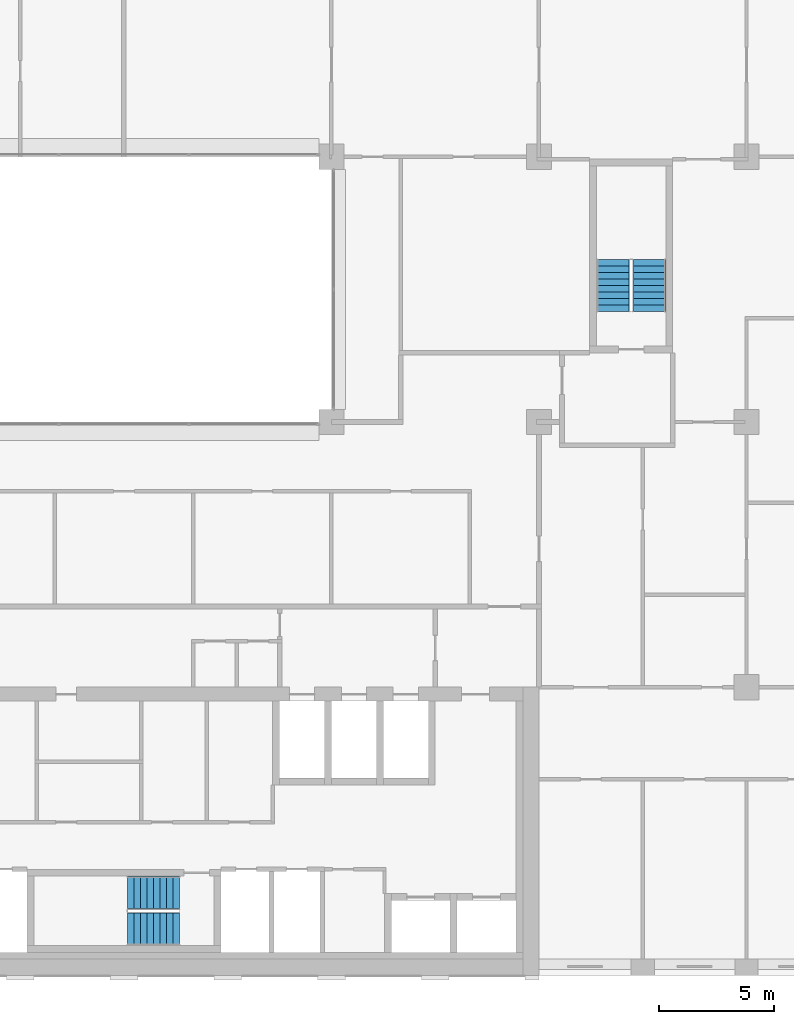
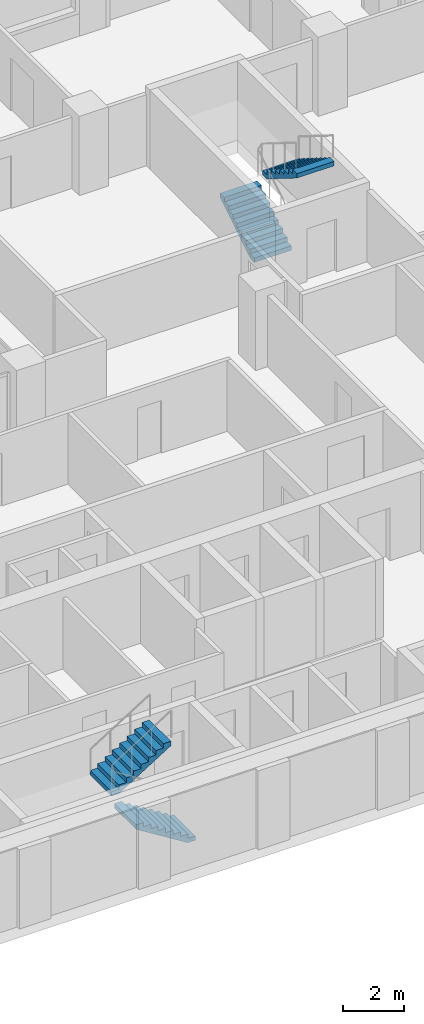
# One storey, part 15 of 17: 4 stair flights, 2 elements without a shape of their own.
"""IFC4 building model written with IfcOpenShell, lengths in metres."""

import ifcopenshell
import ifcopenshell.guid

model = None  # the IFC model being written
_history = None  # IfcOwnerHistory: only IFC2X3 demands one
_inside = {}  # id of a spatial element -> (the spatial element, [elements in it])
_under = {}  # id of a project, library or spatial element -> (it, [spatial elements below it])
_declared = {}  # id of a project -> (the project, [libraries it declares])
_typed = {}  # id of a type object -> (the type object, [elements of that type])
_made_of = {}  # id of a material, layer set ... -> (it, [elements and type objects made of it])


def new_model(schema):
    """Start an empty IFC model of exactly this schema.

    Asked for "IFC4X3", IfcOpenShell would pick the latest addendum, in which some entities
    have other attributes; the version numbers below select the first issue.
    IFC2X3 requires an IfcOwnerHistory on every rooted entity: one is made here for all.
    """
    global model, _history
    if schema == "IFC4X3":
        model = ifcopenshell.file(schema_version=(4, 3, 0, 0))
    else:
        model = ifcopenshell.file(schema=schema)
    _inside.clear()
    _under.clear()
    _declared.clear()
    _typed.clear()
    _made_of.clear()
    _history = None
    if model.schema == "IFC2X3":
        org = make("IfcOrganization", Name="unknown")
        user = make(
            "IfcPersonAndOrganization",
            ThePerson=make("IfcPerson", FamilyName="unknown"),
            TheOrganization=org,
        )
        app = make(
            "IfcApplication",
            ApplicationDeveloper=org,
            Version="unknown",
            ApplicationFullName="unknown",
            ApplicationIdentifier="unknown",
        )
        _history = make(
            "IfcOwnerHistory",
            OwningUser=user,
            OwningApplication=app,
            ChangeAction="ADDED",
            CreationDate=0,
        )
    return model


def make(cls, **values):
    """One entity of the class cls with the attributes given. An attribute that is None is left unset."""
    return model.create_entity(
        cls, **{name: value for name, value in values.items() if value is not None}
    )


def rooted(cls, **values):
    """An entity with a GlobalId (a new one), such as an element, a storey or a relation."""
    return make(cls, GlobalId=ifcopenshell.guid.new(), OwnerHistory=_history, **values)


def si_unit(unit_type, name, prefix=None):
    """IfcSIUnit, for example si_unit("LENGTHUNIT", "METRE", prefix="MILLI")."""
    return make("IfcSIUnit", UnitType=unit_type, Prefix=prefix, Name=name)


def assignment(units):
    """IfcUnitAssignment: the units of a project."""
    return None if units is None else make("IfcUnitAssignment", Units=units)


def point(xyz):
    """IfcCartesianPoint."""
    return None if xyz is None else make("IfcCartesianPoint", Coordinates=xyz)


def direction(xyz):
    """IfcDirection."""
    return None if xyz is None else make("IfcDirection", DirectionRatios=xyz)


def frame(location, z_axis=None, x_axis=None):
    """IfcAxis2Placement3D, a coordinate frame: its origin and axes. An axis left out is left unset."""
    return make(
        "IfcAxis2Placement3D",
        Location=point(location),
        Axis=direction(z_axis),
        RefDirection=direction(x_axis),
    )


def origin():
    """The frame at (0, 0, 0) with its axes left unset."""
    return frame((0.0, 0.0, 0.0))


def place(relative_to, where):
    """IfcLocalPlacement: puts the frame where relative to a parent placement (None: the world)."""
    return make(
        "IfcLocalPlacement", PlacementRelTo=relative_to, RelativePlacement=where
    )


def context(
    kind, dimensions, precision=None, world=None, true_north=None, identifier=None
):
    """IfcGeometricRepresentationContext, for example the 3D "Model" context."""
    return make(
        "IfcGeometricRepresentationContext",
        ContextIdentifier=identifier,
        ContextType=kind,
        CoordinateSpaceDimension=dimensions,
        Precision=precision,
        WorldCoordinateSystem=world,
        TrueNorth=true_north,
    )


def subcontext(parent, identifier, kind, view, scale=None):
    """IfcGeometricRepresentationSubContext, for example "Body" below "Model"."""
    return make(
        "IfcGeometricRepresentationSubContext",
        ContextIdentifier=identifier,
        ContextType=kind,
        ParentContext=parent,
        TargetScale=scale,
        TargetView=view,
    )


def project(units=None, contexts=None):
    """IfcProject with its units and contexts."""
    return rooted(
        "IfcProject",
        Name="project",
        RepresentationContexts=contexts,
        UnitsInContext=assignment(units),
    )


def spatial(cls, under=None, at=None, **own):
    """A site, building, storey or space (cls), placed at a placement, below another one or the project."""
    s = rooted(cls, ObjectPlacement=at, **own)
    if under is not None:
        _under.setdefault(under.id(), (under, []))[1].append(s)
    return s


def polyline(points):
    """IfcPolyline through the points."""
    return make("IfcPolyline", Points=[point(p) for p in points])


def outline(outer, holes=None, kind="AREA"):
    """IfcArbitraryClosedProfileDef: a profile drawn as a closed curve; with holes, ...WithVoids."""
    if holes is None:
        return make("IfcArbitraryClosedProfileDef", ProfileType=kind, OuterCurve=outer)
    return make(
        "IfcArbitraryProfileDefWithVoids",
        ProfileType=kind,
        OuterCurve=outer,
        InnerCurves=holes,
    )


def extrude(swept, where, along, depth):
    """IfcExtrudedAreaSolid: the profile swept, set in the frame where, extruded along a direction by depth."""
    return make(
        "IfcExtrudedAreaSolid",
        SweptArea=swept,
        Position=where,
        ExtrudedDirection=direction(along),
        Depth=depth,
    )


def shape(context_of_items, identifier, shape_type, items):
    """IfcShapeRepresentation: the items that make up one representation, for example the "Body"."""
    return make(
        "IfcShapeRepresentation",
        ContextOfItems=context_of_items,
        RepresentationIdentifier=identifier,
        RepresentationType=shape_type,
        Items=items,
    )


def material(Name=None, Category=None):
    """IfcMaterial."""
    return make("IfcMaterial", Name=Name, Category=Category)


def made_of(thing, what):
    """Note that an element or type object is made of a material, layer set ...; save() writes the relation."""
    if what is not None:
        _made_of.setdefault(what.id(), (what, []))[1].append(thing)
    return thing


def type_object(cls, material=None, **own):
    """A type object (cls), such as IfcWallType, which elements share."""
    return made_of(rooted(cls, **own), material)


def element(
    cls,
    number,
    at=None,
    inside=None,
    cuts=None,
    type_object=None,
    material=None,
    context=None,
    identifier="Body",
    shape_type=None,
    held_by="IfcProductDefinitionShape",
    body=None,
    shapes=None,
    **own,
):
    """One element of the class cls, such as IfcWall. Its Tag is "e" and its number.

    at: its placement. inside: the storey or other place that contains it. cuts: it is an
    opening in that element (IfcRelVoidsElement). A single representation is given by context,
    identifier, shape_type and body (its items); several are given by shapes. held_by: the class
    of the entity that holds the representations. save() writes the other relations.
    """
    e = rooted(cls, Tag="e%d" % number, ObjectPlacement=at, **own)
    if body is not None:
        shapes = [shape(context, identifier, shape_type, body)]
    if shapes is not None:
        e.Representation = make(held_by, Representations=shapes)
    if inside is not None:
        _inside.setdefault(inside.id(), (inside, []))[1].append(e)
    if cuts is not None:
        rooted(
            "IfcRelVoidsElement", RelatingBuildingElement=cuts, RelatedOpeningElement=e
        )
    if type_object is not None:
        _typed.setdefault(type_object.id(), (type_object, []))[1].append(e)
    return made_of(e, material)


def aggregate(whole, parts):
    """IfcRelAggregates: a whole, such as a stair, and the parts it consists of."""
    return rooted("IfcRelAggregates", RelatingObject=whole, RelatedObjects=parts)


def save(model, path):
    """Write the relations noted so far, then the file.

    IfcRelAggregates (storeys below a building ...), IfcRelContainedInSpatialStructure (elements
    in a storey), IfcRelDefinesByType, IfcRelAssociatesMaterial and IfcRelDeclares: one each for
    every whole, place, type object, material and project.
    """
    for whole, parts in _under.values():
        aggregate(whole, parts)
    for where, things in _inside.values():
        rooted(
            "IfcRelContainedInSpatialStructure",
            RelatedElements=things,
            RelatingStructure=where,
        )
    for kind, things in _typed.values():
        rooted("IfcRelDefinesByType", RelatedObjects=things, RelatingType=kind)
    for what, things in _made_of.values():
        rooted("IfcRelAssociatesMaterial", RelatedObjects=things, RelatingMaterial=what)
    for by, libraries in _declared.values():
        rooted("IfcRelDeclares", RelatingContext=by, RelatedDefinitions=libraries)
    model.write(path)


model = new_model("IFC4")

# Units and contexts
model_context = context("Model", 3, precision=1e-05, world=origin(), true_north=direction((0.0, 1.0)))
body_context = subcontext(model_context, "Body", "Model", "MODEL_VIEW")
ifc_project = project(units=[si_unit("LENGTHUNIT", "METRE"), si_unit("AREAUNIT", "SQUARE_METRE"), si_unit("VOLUMEUNIT", "CUBIC_METRE"), si_unit("PLANEANGLEUNIT", "RADIAN"), si_unit("MASSUNIT", "GRAM", prefix="KILO")], contexts=[model_context])

# Site, building, storey
site_placement = place(None, origin())
site = spatial("IfcSite", under=ifc_project, at=site_placement, CompositionType="ELEMENT")
building_placement = place(site_placement, origin())
building = spatial("IfcBuilding", under=site, at=building_placement, Name="Brigalow Station Residences", CompositionType="ELEMENT")
storey_placement = place(building_placement, frame((0.0, 0.0, 141.300048828125)))
storey = spatial("IfcBuildingStorey", under=building, at=storey_placement, Name="L40", CompositionType="ELEMENT", Elevation=141.300048828125)

# Stair, stair flights
ifc_material_1 = material(Name="Concrete C50", Category="concrete")
stair_type = type_object("IfcStairType", Name="EXIT STAIR 1400 2 FLIGHT", PredefinedType="HALF_TURN_STAIR", material=ifc_material_1)
stair_1_placement = place(storey_placement, origin())
stair_1 = element("IfcStair", 1, at=stair_1_placement, inside=storey, type_object=stair_type, Name="EXIT STAIR S2 L40", PredefinedType="HALF_TURN_STAIR")
ifc_material_2 = material(Name="Concrete C50", Category="concrete")
stair_flight_type = type_object("IfcStairFlightType", Name="STAIR FLIGHT 1400", PredefinedType="STRAIGHT", material=ifc_material_2)
stair_flight_1_placement = place(storey_placement, frame((38.39990234375, 2.0, 0.0), z_axis=(0.0, 0.0, 1.0), x_axis=(-1.0, 0.0, 0.0)))
stair_flight_1 = element("IfcStairFlight", 2, at=stair_flight_1_placement, type_object=stair_flight_type, Name="ST-2 flight 1", NumberOfRisers=9, NumberOfTreads=8, PredefinedType="STRAIGHT", RiserHeight=0.175, TreadLength=0.28, context=body_context, shape_type="SweptSolid", body=[
    extrude(outline(polyline([(0.0, 0.0), (0.0, 0.175048828125), (0.280029296875, 0.175048828125), (0.280029296875, 0.35009765625), (0.56005859375, 0.35009765625), (0.56005859375, 0.52490234375), (0.840087890625, 0.52490234375), (0.840087890625, 0.699951171875), (1.1201171875, 0.699951171875), (1.1201171875, 0.875), (1.39990234375, 0.875), (1.39990234375, 1.050048828125), (1.679931640625, 1.050048828125), (1.679931640625, 1.22509765625), (1.9599609375, 1.22509765625), (1.9599609375, 1.39990234375), (2.239990234375, 1.39990234375), (2.239990234375, 1.574951171875), (2.239990234375, 1.22314453125), (0.28271484375, 0.0), (0.0, 0.0)])), frame((0.0, 0.699951171875, 0.0), z_axis=(0.0, -1.0, 0.0), x_axis=(1.0, 0.0, 0.0)), (0.0, 0.0, 1.0), 1.39990234375),
])
stair_flight_2_placement = place(storey_placement, frame((36.159912109375, 3.60009765625, 1.574951171875), z_axis=(0.0, 0.0, 1.0), x_axis=(1.0, 0.0, 0.0)))
stair_flight_2 = element("IfcStairFlight", 3, at=stair_flight_2_placement, type_object=stair_flight_type, Name="ST-2 flight 2", NumberOfRisers=9, NumberOfTreads=8, PredefinedType="STRAIGHT", RiserHeight=0.175, TreadLength=0.28, context=body_context, shape_type="SweptSolid", body=[
    extrude(outline(polyline([(0.0, 0.0), (0.0, 0.175048828125), (0.280029296875, 0.175048828125), (0.280029296875, 0.35009765625), (0.56005859375, 0.35009765625), (0.56005859375, 0.52490234375), (0.840087890625, 0.52490234375), (0.840087890625, 0.699951171875), (1.1201171875, 0.699951171875), (1.1201171875, 0.875), (1.39990234375, 0.875), (1.39990234375, 1.050048828125), (1.679931640625, 1.050048828125), (1.679931640625, 1.22509765625), (1.9599609375, 1.22509765625), (1.9599609375, 1.39990234375), (2.239990234375, 1.39990234375), (2.239990234375, 1.574951171875), (2.239990234375, 1.22314453125), (0.28271484375, 0.0), (0.0, 0.0)])), frame((0.0, 0.699951171875, 0.0), z_axis=(0.0, -1.0, 0.0), x_axis=(1.0, 0.0, 0.0)), (0.0, 0.0, 1.0), 1.39990234375),
])
aggregate(stair_1, [stair_flight_1, stair_flight_2])

stair_2_placement = place(storey_placement, origin())
stair_2 = element("IfcStair", 4, at=stair_2_placement, inside=storey, type_object=stair_type, Name="EXIT STAIR S3 L40", PredefinedType="HALF_TURN_STAIR")
stair_flight_3_placement = place(storey_placement, frame((57.199951171875, 28.800048828125, 0.0), z_axis=(0.0, 0.0, 1.0), x_axis=(0.0, 1.0, 0.0)))
stair_flight_3 = element("IfcStairFlight", 5, at=stair_flight_3_placement, type_object=stair_flight_type, Name="ST-3 flight 1", NumberOfRisers=9, NumberOfTreads=8, PredefinedType="STRAIGHT", RiserHeight=0.175, TreadLength=0.28, context=body_context, shape_type="SweptSolid", body=[
    extrude(outline(polyline([(0.0, 0.0), (0.0, 0.175048828125), (0.280029296875, 0.175048828125), (0.280029296875, 0.35009765625), (0.56005859375, 0.35009765625), (0.56005859375, 0.52490234375), (0.840087890625, 0.52490234375), (0.840087890625, 0.699951171875), (1.1201171875, 0.699951171875), (1.1201171875, 0.875), (1.39990234375, 0.875), (1.39990234375, 1.050048828125), (1.679931640625, 1.050048828125), (1.679931640625, 1.22509765625), (1.9599609375, 1.22509765625), (1.9599609375, 1.39990234375), (2.239990234375, 1.39990234375), (2.239990234375, 1.574951171875), (2.239990234375, 1.22314453125), (0.28271484375, 0.0), (0.0, 0.0)])), frame((0.0, 0.699951171875, 0.0), z_axis=(0.0, -1.0, 0.0), x_axis=(1.0, 0.0, 0.0)), (0.0, 0.0, 1.0), 1.39990234375),
])
stair_flight_4_placement = place(storey_placement, frame((58.800048828125, 31.0400390625, 1.574951171875), z_axis=(0.0, 0.0, 1.0), x_axis=(0.0, -1.0, 0.0)))
stair_flight_4 = element("IfcStairFlight", 6, at=stair_flight_4_placement, type_object=stair_flight_type, Name="ST-3 flight 2", NumberOfRisers=9, NumberOfTreads=8, PredefinedType="STRAIGHT", RiserHeight=0.175, TreadLength=0.28, context=body_context, shape_type="SweptSolid", body=[
    extrude(outline(polyline([(0.0, 0.0), (0.0, 0.175048828125), (0.280029296875, 0.175048828125), (0.280029296875, 0.35009765625), (0.56005859375, 0.35009765625), (0.56005859375, 0.52490234375), (0.840087890625, 0.52490234375), (0.840087890625, 0.699951171875), (1.1201171875, 0.699951171875), (1.1201171875, 0.875), (1.39990234375, 0.875), (1.39990234375, 1.050048828125), (1.679931640625, 1.050048828125), (1.679931640625, 1.22509765625), (1.9599609375, 1.22509765625), (1.9599609375, 1.39990234375), (2.239990234375, 1.39990234375), (2.239990234375, 1.574951171875), (2.239990234375, 1.22314453125), (0.28271484375, 0.0), (0.0, 0.0)])), frame((0.0, 0.699951171875, 0.0), z_axis=(0.0, -1.0, 0.0), x_axis=(1.0, 0.0, 0.0)), (0.0, 0.0, 1.0), 1.39990234375),
])
aggregate(stair_2, [stair_flight_3, stair_flight_4])

save(model, "model.ifc")
